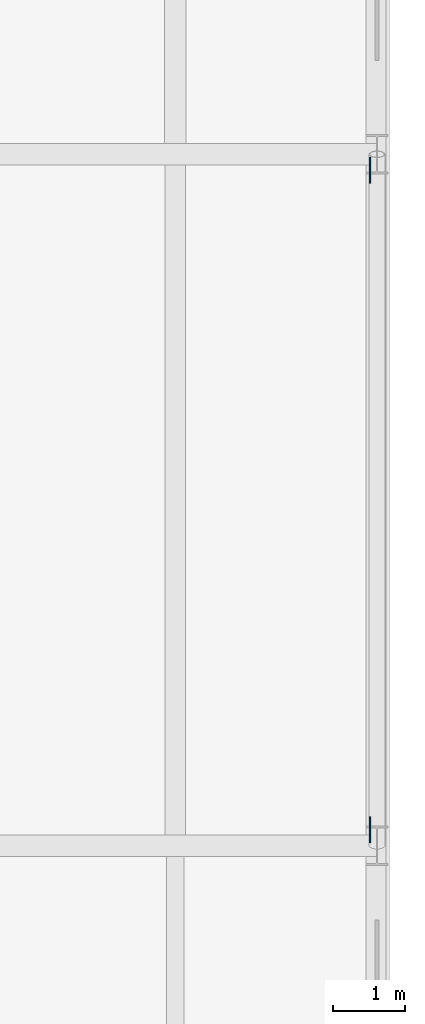
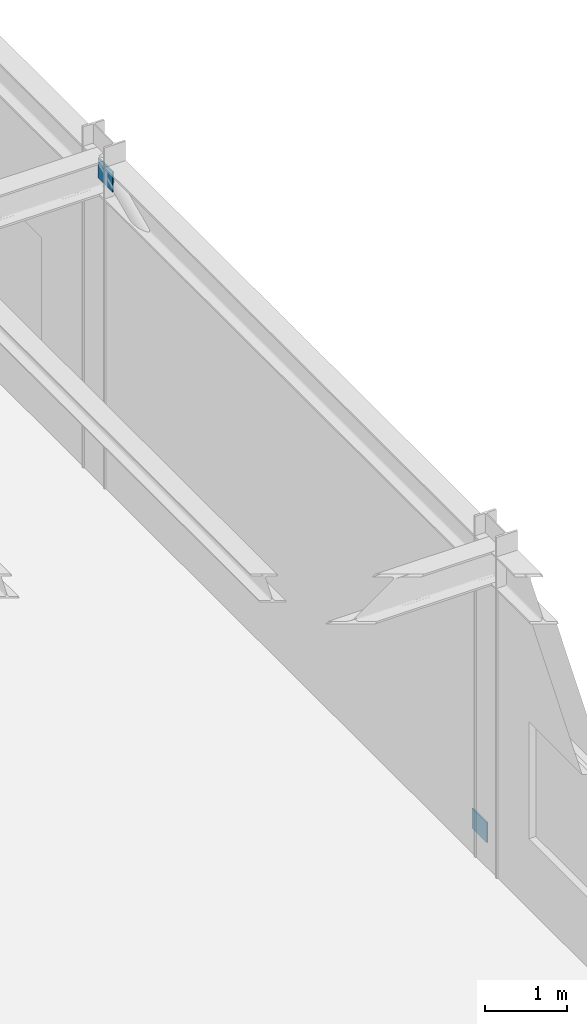
# One storey, part 38 of 64: 2 plates.
"""IFC4 building model written with IfcOpenShell, lengths in metres."""

import ifcopenshell
import ifcopenshell.guid

model = None  # the IFC model being written
_history = None  # IfcOwnerHistory: only IFC2X3 demands one
_inside = {}  # id of a spatial element -> (the spatial element, [elements in it])
_under = {}  # id of a project, library or spatial element -> (it, [spatial elements below it])
_declared = {}  # id of a project -> (the project, [libraries it declares])
_typed = {}  # id of a type object -> (the type object, [elements of that type])
_made_of = {}  # id of a material, layer set ... -> (it, [elements and type objects made of it])


def new_model(schema):
    """Start an empty IFC model of exactly this schema.

    Asked for "IFC4X3", IfcOpenShell would pick the latest addendum, in which some entities
    have other attributes; the version numbers below select the first issue.
    IFC2X3 requires an IfcOwnerHistory on every rooted entity: one is made here for all.
    """
    global model, _history
    if schema == "IFC4X3":
        model = ifcopenshell.file(schema_version=(4, 3, 0, 0))
    else:
        model = ifcopenshell.file(schema=schema)
    _inside.clear()
    _under.clear()
    _declared.clear()
    _typed.clear()
    _made_of.clear()
    _history = None
    if model.schema == "IFC2X3":
        org = make("IfcOrganization", Name="unknown")
        user = make(
            "IfcPersonAndOrganization",
            ThePerson=make("IfcPerson", FamilyName="unknown"),
            TheOrganization=org,
        )
        app = make(
            "IfcApplication",
            ApplicationDeveloper=org,
            Version="unknown",
            ApplicationFullName="unknown",
            ApplicationIdentifier="unknown",
        )
        _history = make(
            "IfcOwnerHistory",
            OwningUser=user,
            OwningApplication=app,
            ChangeAction="ADDED",
            CreationDate=0,
        )
    return model


def make(cls, **values):
    """One entity of the class cls with the attributes given. An attribute that is None is left unset."""
    return model.create_entity(
        cls, **{name: value for name, value in values.items() if value is not None}
    )


def rooted(cls, **values):
    """An entity with a GlobalId (a new one), such as an element, a storey or a relation."""
    return make(cls, GlobalId=ifcopenshell.guid.new(), OwnerHistory=_history, **values)


def si_unit(unit_type, name, prefix=None):
    """IfcSIUnit, for example si_unit("LENGTHUNIT", "METRE", prefix="MILLI")."""
    return make("IfcSIUnit", UnitType=unit_type, Prefix=prefix, Name=name)


def assignment(units):
    """IfcUnitAssignment: the units of a project."""
    return None if units is None else make("IfcUnitAssignment", Units=units)


def point(xyz):
    """IfcCartesianPoint."""
    return None if xyz is None else make("IfcCartesianPoint", Coordinates=xyz)


def direction(xyz):
    """IfcDirection."""
    return None if xyz is None else make("IfcDirection", DirectionRatios=xyz)


def frame(location, z_axis=None, x_axis=None):
    """IfcAxis2Placement3D, a coordinate frame: its origin and axes. An axis left out is left unset."""
    return make(
        "IfcAxis2Placement3D",
        Location=point(location),
        Axis=direction(z_axis),
        RefDirection=direction(x_axis),
    )


def frame_2d(location, x_axis=None):
    """IfcAxis2Placement2D, a coordinate frame in the plane: its origin and x axis."""
    return make(
        "IfcAxis2Placement2D", Location=point(location), RefDirection=direction(x_axis)
    )


def origin():
    """The frame at (0, 0, 0) with its axes left unset."""
    return frame((0.0, 0.0, 0.0))


def origin_2d():
    """The frame at (0, 0) in the plane with its x axis left unset."""
    return frame_2d((0.0, 0.0))


def place(relative_to, where):
    """IfcLocalPlacement: puts the frame where relative to a parent placement (None: the world)."""
    return make(
        "IfcLocalPlacement", PlacementRelTo=relative_to, RelativePlacement=where
    )


def context(
    kind, dimensions, precision=None, world=None, true_north=None, identifier=None
):
    """IfcGeometricRepresentationContext, for example the 3D "Model" context."""
    return make(
        "IfcGeometricRepresentationContext",
        ContextIdentifier=identifier,
        ContextType=kind,
        CoordinateSpaceDimension=dimensions,
        Precision=precision,
        WorldCoordinateSystem=world,
        TrueNorth=true_north,
    )


def subcontext(parent, identifier, kind, view, scale=None):
    """IfcGeometricRepresentationSubContext, for example "Body" below "Model"."""
    return make(
        "IfcGeometricRepresentationSubContext",
        ContextIdentifier=identifier,
        ContextType=kind,
        ParentContext=parent,
        TargetScale=scale,
        TargetView=view,
    )


def project(units=None, contexts=None):
    """IfcProject with its units and contexts."""
    return rooted(
        "IfcProject",
        Name="project",
        RepresentationContexts=contexts,
        UnitsInContext=assignment(units),
    )


def spatial(cls, under=None, at=None, **own):
    """A site, building, storey or space (cls), placed at a placement, below another one or the project."""
    s = rooted(cls, ObjectPlacement=at, **own)
    if under is not None:
        _under.setdefault(under.id(), (under, []))[1].append(s)
    return s


def profile(cls, at=None, kind="AREA", **sizes):
    """A parametric profile (cls). Its sizes go by their IFC names, for example OverallWidth=200.0."""
    return make(cls, ProfileType=kind, Position=at, **sizes)


def rectangle(**sizes):
    """IfcRectangleProfileDef."""
    return profile("IfcRectangleProfileDef", **sizes)


def extrude(swept, where, along, depth):
    """IfcExtrudedAreaSolid: the profile swept, set in the frame where, extruded along a direction by depth."""
    return make(
        "IfcExtrudedAreaSolid",
        SweptArea=swept,
        Position=where,
        ExtrudedDirection=direction(along),
        Depth=depth,
    )


def shape(context_of_items, identifier, shape_type, items):
    """IfcShapeRepresentation: the items that make up one representation, for example the "Body"."""
    return make(
        "IfcShapeRepresentation",
        ContextOfItems=context_of_items,
        RepresentationIdentifier=identifier,
        RepresentationType=shape_type,
        Items=items,
    )


def material(Name=None, Category=None):
    """IfcMaterial."""
    return make("IfcMaterial", Name=Name, Category=Category)


def layer(
    of_material, thickness, ventilated=None, Name=None, Category=None, Priority=None
):
    """IfcMaterialLayer: one layer of a wall or slab, of a material (None: an air gap)."""
    return make(
        "IfcMaterialLayer",
        Material=of_material,
        LayerThickness=thickness,
        IsVentilated=ventilated,
        Name=Name,
        Category=Category,
        Priority=Priority,
    )


def layer_set(layers, Name=None):
    """IfcMaterialLayerSet."""
    return make("IfcMaterialLayerSet", MaterialLayers=layers, LayerSetName=Name)


def made_of(thing, what):
    """Note that an element or type object is made of a material, layer set ...; save() writes the relation."""
    if what is not None:
        _made_of.setdefault(what.id(), (what, []))[1].append(thing)
    return thing


def type_object(cls, material=None, **own):
    """A type object (cls), such as IfcWallType, which elements share."""
    return made_of(rooted(cls, **own), material)


def element(
    cls,
    number,
    at=None,
    inside=None,
    cuts=None,
    type_object=None,
    material=None,
    context=None,
    identifier="Body",
    shape_type=None,
    held_by="IfcProductDefinitionShape",
    body=None,
    shapes=None,
    **own,
):
    """One element of the class cls, such as IfcWall. Its Tag is "e" and its number.

    at: its placement. inside: the storey or other place that contains it. cuts: it is an
    opening in that element (IfcRelVoidsElement). A single representation is given by context,
    identifier, shape_type and body (its items); several are given by shapes. held_by: the class
    of the entity that holds the representations. save() writes the other relations.
    """
    e = rooted(cls, Tag="e%d" % number, ObjectPlacement=at, **own)
    if body is not None:
        shapes = [shape(context, identifier, shape_type, body)]
    if shapes is not None:
        e.Representation = make(held_by, Representations=shapes)
    if inside is not None:
        _inside.setdefault(inside.id(), (inside, []))[1].append(e)
    if cuts is not None:
        rooted(
            "IfcRelVoidsElement", RelatingBuildingElement=cuts, RelatedOpeningElement=e
        )
    if type_object is not None:
        _typed.setdefault(type_object.id(), (type_object, []))[1].append(e)
    return made_of(e, material)


def aggregate(whole, parts):
    """IfcRelAggregates: a whole, such as a stair, and the parts it consists of."""
    return rooted("IfcRelAggregates", RelatingObject=whole, RelatedObjects=parts)


def save(model, path):
    """Write the relations noted so far, then the file.

    IfcRelAggregates (storeys below a building ...), IfcRelContainedInSpatialStructure (elements
    in a storey), IfcRelDefinesByType, IfcRelAssociatesMaterial and IfcRelDeclares: one each for
    every whole, place, type object, material and project.
    """
    for whole, parts in _under.values():
        aggregate(whole, parts)
    for where, things in _inside.values():
        rooted(
            "IfcRelContainedInSpatialStructure",
            RelatedElements=things,
            RelatingStructure=where,
        )
    for kind, things in _typed.values():
        rooted("IfcRelDefinesByType", RelatedObjects=things, RelatingType=kind)
    for what, things in _made_of.values():
        rooted("IfcRelAssociatesMaterial", RelatedObjects=things, RelatingMaterial=what)
    for by, libraries in _declared.values():
        rooted("IfcRelDeclares", RelatingContext=by, RelatedDefinitions=libraries)
    model.write(path)


model = new_model("IFC4")

# Units and contexts
model_context = context("Model", 3, precision=1e-05, world=origin(), true_north=direction((0.0, 1.0)))
body_context = subcontext(model_context, "Body", "Model", "MODEL_VIEW")
ifc_project = project(units=[si_unit("LENGTHUNIT", "METRE"), si_unit("AREAUNIT", "SQUARE_METRE"), si_unit("VOLUMEUNIT", "CUBIC_METRE"), si_unit("PLANEANGLEUNIT", "RADIAN"), si_unit("MASSUNIT", "GRAM", prefix="KILO")], contexts=[model_context])

# Site, building, storey
site_placement = place(None, origin())
site = spatial("IfcSite", under=ifc_project, at=site_placement, CompositionType="ELEMENT")
building_placement = place(site_placement, origin())
building = spatial("IfcBuilding", under=site, at=building_placement, Name="Montealbar Specialist Clinic", CompositionType="ELEMENT")
storey_placement = place(building_placement, origin())
storey = spatial("IfcBuildingStorey", under=building, at=storey_placement, Name="L00", CompositionType="ELEMENT", Elevation=0.0)

# Plates
ifc_material = material(Name="Steel S355", Category="steel")
ifc_layer = layer(ifc_material, 0.02001953125, Name="Steel S355", Category="steel")
ifc_layer_set = layer_set([ifc_layer], Name="Steel S355")
plate_type = type_object("IfcPlateType", Name="PL-GUSSET-20-EXT", PredefinedType="SHEET", material=ifc_layer_set)
for number, where, z_axis, x_axis, name in (
    (1, (161.905029296875, 62.02001953125, 0.330078125), (0.0, 0.0, 1.0), (0.0, 1.0, 0.0), "Lateral brace gusset plate LB-05-B"),
    (2, (161.905029296875, 71.179931640625, 4.5), (0.0, 0.0, 1.0), (0.0, 1.0, 0.0), "Lateral brace gusset plate LB-05-T"),
):
    element("IfcPlate", number, at=place(storey_placement, frame(where, z_axis=z_axis, x_axis=x_axis)), inside=storey, type_object=plate_type, Name=name, PredefinedType="SHEET", context=body_context, shape_type="SweptSolid", body=[
        extrude(rectangle(XDim=0.360107421875, YDim=0.02001953125, at=origin_2d()), origin(), (0.0, 0.0, 1.0), 0.300048828125),
    ])

save(model, "model.ifc")
